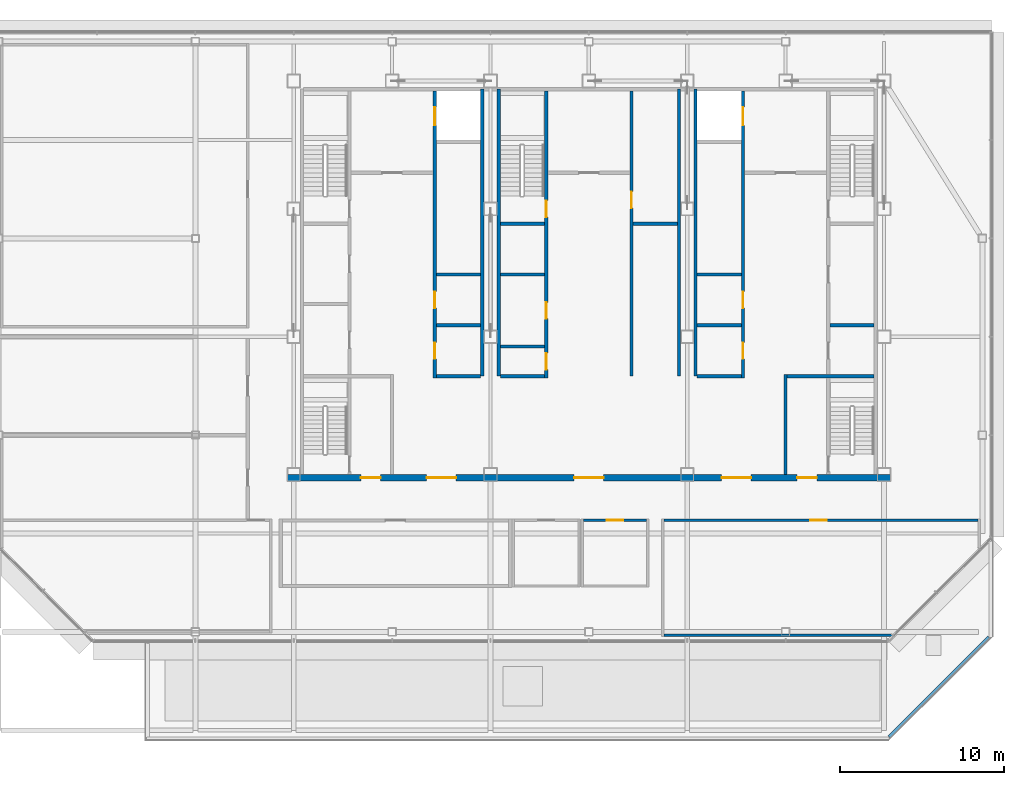
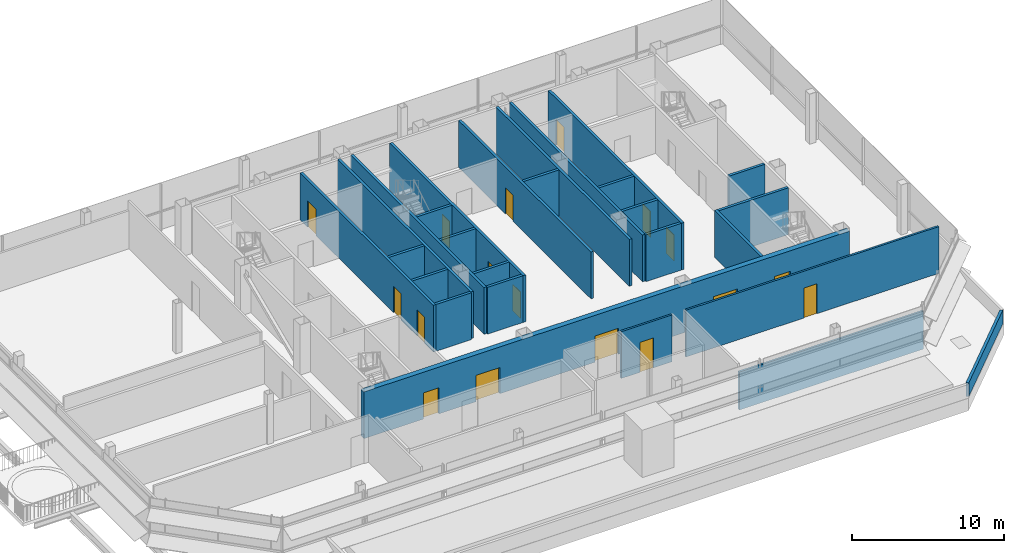
# One storey, part 21 of 26: 27 walls, 17 doors, 17 openings.
"""IFC4 building model written with IfcOpenShell, lengths in metres."""

from ifc_helpers import new_model, si_unit, direction, frame, frame_2d, origin, place, context, subcontext, project, spatial, rectangle, extrude, material, layer, layer_set, type_object, element, fill, save


model = new_model("IFC4")

# Units and contexts
model_context = context("Model", 3, precision=1e-05, world=origin(), true_north=direction((0.0, 1.0)))
body_context = subcontext(model_context, "Body", "Model", "MODEL_VIEW")
ifc_project = project(units=[si_unit("LENGTHUNIT", "METRE"), si_unit("AREAUNIT", "SQUARE_METRE"), si_unit("VOLUMEUNIT", "CUBIC_METRE"), si_unit("PLANEANGLEUNIT", "RADIAN"), si_unit("MASSUNIT", "GRAM", prefix="KILO")], contexts=[model_context])

# Site, building, storey
site_placement = place(None, origin())
site = spatial("IfcSite", under=ifc_project, at=site_placement, CompositionType="ELEMENT")
building_placement = place(site_placement, origin())
building = spatial("IfcBuilding", under=site, at=building_placement, Name="Sorahane Residences", CompositionType="ELEMENT")
storey_placement = place(building_placement, frame((0.0, 0.0, 337.800048828125)))
storey = spatial("IfcBuildingStorey", under=building, at=storey_placement, Name="L80", CompositionType="ELEMENT", Elevation=337.800048828125)

# Walls
ifc_material_1 = material(Name="Concrete C30", Category="concrete")
ifc_layer_1 = layer(ifc_material_1, 0.199951171875)
ifc_layer_set_1 = layer_set([ifc_layer_1], Name="Core face wall 200 EI 180")
wall_type_1 = type_object("IfcWallType", Name="Core face wall 200 EI 180", PredefinedType="SOLIDWALL", material=ifc_layer_set_1)
for number, where, z_axis, x_axis, name in (
    (1, (17.5, 27.60009765625, 0.0), (0.0, 0.0, 1.0), (0.0, 1.0, 0.0), "L80 core face wall"),
    (2, (18.5, 27.60009765625, 0.0), (0.0, 0.0, 1.0), (0.0, 1.0, 0.0), "L80 core face wall"),
    (3, (29.5, 27.60009765625, 0.0), (0.0, 0.0, 1.0), (0.0, 1.0, 0.0), "L80 core face wall"),
    (4, (30.5, 27.60009765625, 0.0), (0.0, 0.0, 1.0), (0.0, 1.0, 0.0), "L80 core face wall"),
):
    element("IfcWall", number, at=place(storey_placement, frame(where, z_axis=z_axis, x_axis=x_axis)), inside=storey, type_object=wall_type_1, Name=name, PredefinedType="SOLIDWALL", context=body_context, shape_type="SweptSolid", body=[
        extrude(rectangle(XDim=17.5, YDim=0.199951171875, at=frame_2d((8.75, 0.0))), origin(), (0.0, 0.0, 1.0), 3.75),
    ])

# Wall, opening, door
ifc_material_2 = material(Name="Concrete C30", Category="concrete")
ifc_layer_2 = layer(ifc_material_2, 0.199951171875)
ifc_layer_set_2 = layer_set([ifc_layer_2], Name="Front room wall 200 EI 120")
wall_type_2 = type_object("IfcWallType", Name="Front room wall 200 EI 120", PredefinedType="PARTITIONING", material=ifc_layer_set_2)
wall_1_placement = place(storey_placement, frame((26.60009765625, 27.60009765625, 0.0), z_axis=(0.0, 0.0, 1.0), x_axis=(0.0, 1.0, 0.0)))
wall_1 = element("IfcWall", 5, at=wall_1_placement, inside=storey, type_object=wall_type_2, Name="L80 front room wall", PredefinedType="PARTITIONING", context=body_context, shape_type="SweptSolid", body=[
    extrude(rectangle(XDim=17.39990234375, YDim=0.199951171875, at=frame_2d((8.699951171875, 0.0))), origin(), (0.0, 0.0, 1.0), 3.75),
])
opening_1_placement = place(wall_1_placement, frame((10.25, 0.0, 0.0)))
opening_1 = element("IfcOpeningElement", 6, at=opening_1_placement, cuts=wall_1, Name="Opening L80-C26", PredefinedType="OPENING", context=body_context, shape_type="SweptSolid", body=[
    extrude(rectangle(XDim=1.0, YDim=2.10009765625, at=frame_2d((0.5, 1.050048828125))), frame((0.0, 0.10986328125, 0.0), z_axis=(0.0, -1.0, 0.0), x_axis=(1.0, 0.0, 0.0)), (0.0, 0.0, 1.0), 0.219970703125),
])
ifc_material_3 = material(Name="Steel", Category="steel")
door_type_1 = type_object("IfcDoorType", Name="Service room door 1000x2100 FD60", OperationType="NOTDEFINED", PredefinedType="DOOR", material=ifc_material_3)
door_1_placement = place(opening_1_placement, frame((1.0, 0.0, 0.0), z_axis=(0.0, 0.0, 1.0), x_axis=(-1.0, 0.0, 0.0)))
door_1 = element("IfcDoor", 7, at=door_1_placement, inside=storey, type_object=door_type_1, Name="Service room door Housekeeping store L80", OperationType="SINGLE_SWING_LEFT", OverallHeight=2.10009765625, OverallWidth=1.0, PredefinedType="DOOR", context=body_context, shape_type="SweptSolid", body=[
    extrude(rectangle(XDim=1.0, YDim=2.10009765625, at=frame_2d((0.5, 1.050048828125))), frame((0.0, 0.02490234375, 0.0), z_axis=(0.0, -1.0, 0.0), x_axis=(1.0, 0.0, 0.0)), (0.0, 0.0, 1.0), 0.050048828125),
])
fill(opening_1, door_1)

# Wall
wall_2_placement = place(storey_placement, frame((36.0, 21.60009765625, 0.0), z_axis=(0.0, 0.0, 1.0), x_axis=(0.0, 1.0, 0.0)))
element("IfcWall", 8, at=wall_2_placement, inside=storey, type_object=wall_type_2, Name="L80 front room wall", PredefinedType="PARTITIONING", context=body_context, shape_type="SweptSolid", body=[
    extrude(rectangle(XDim=6.099853515625, YDim=0.199951171875, at=frame_2d((3.0498046875, 0.0))), origin(), (0.0, 0.0, 1.0), 3.75),
])

# Wall, openings, doors
ifc_material_4 = material(Name="Concrete C30", Category="concrete")
ifc_layer_3 = layer(ifc_material_4, 0.199951171875)
ifc_layer_set_3 = layer_set([ifc_layer_3], Name="Lift shaft wall 200 EI 120")
wall_type_3 = type_object("IfcWallType", Name="Lift shaft wall 200 EI 120", PredefinedType="SOLIDWALL", material=ifc_layer_set_3)
wall_3_placement = place(storey_placement, frame((14.60009765625, 27.5, 0.0), z_axis=(0.0, 0.0, 1.0), x_axis=(0.0, 1.0, 0.0)))
wall_3 = element("IfcWall", 9, at=wall_3_placement, inside=storey, type_object=wall_type_3, Name="L80 lift shaft wall", PredefinedType="SOLIDWALL", context=body_context, shape_type="SweptSolid", body=[
    extrude(rectangle(XDim=17.5, YDim=0.199951171875, at=frame_2d((8.75, 0.0))), origin(), (0.0, 0.0, 1.0), 3.75),
])
opening_2_placement = place(wall_3_placement, frame((15.39990234375, 0.0, 0.0)))
opening_2 = element("IfcOpeningElement", 10, at=opening_2_placement, cuts=wall_3, Name="Opening L80-C10", PredefinedType="OPENING", context=body_context, shape_type="SweptSolid", body=[
    extrude(rectangle(XDim=1.10009765625, YDim=2.10009765625, at=frame_2d((0.550048828125, 1.050048828125))), frame((0.0, 0.10986328125, 0.0), z_axis=(0.0, -1.0, 0.0), x_axis=(1.0, 0.0, 0.0)), (0.0, 0.0, 1.0), 0.219970703125),
])
opening_3_placement = place(wall_3_placement, frame((1.14990234375, 0.0, 0.0)))
opening_3 = element("IfcOpeningElement", 11, at=opening_3_placement, cuts=wall_3, Name="Opening L80-C17", PredefinedType="OPENING", context=body_context, shape_type="SweptSolid", body=[
    extrude(rectangle(XDim=1.0, YDim=2.10009765625, at=frame_2d((0.5, 1.050048828125))), frame((0.0, 0.10986328125, 0.0), z_axis=(0.0, -1.0, 0.0), x_axis=(1.0, 0.0, 0.0)), (0.0, 0.0, 1.0), 0.219970703125),
])
opening_4_placement = place(wall_3_placement, frame((4.25, 0.0, 0.0)))
opening_4 = element("IfcOpeningElement", 12, at=opening_4_placement, cuts=wall_3, Name="Opening L80-C18", PredefinedType="OPENING", context=body_context, shape_type="SweptSolid", body=[
    extrude(rectangle(XDim=1.0, YDim=2.10009765625, at=frame_2d((0.5, 1.050048828125))), frame((0.0, 0.10986328125, 0.0), z_axis=(0.0, -1.0, 0.0), x_axis=(1.0, 0.0, 0.0)), (0.0, 0.0, 1.0), 0.219970703125),
])
ifc_material_5 = material(Name="Aluminium and stainless steel", Category="steel")
door_type_2 = type_object("IfcDoorType", Name="Lift landing door 1100x2100 E 60", OperationType="NOTDEFINED", PredefinedType="DOOR", material=ifc_material_5)
door_2_placement = place(opening_2_placement, origin())
door_2 = element("IfcDoor", 13, at=door_2_placement, inside=storey, type_object=door_type_2, Name="Lift landing door FF1 L80", OperationType="DOUBLE_DOOR_SLIDING", OverallHeight=2.10009765625, OverallWidth=1.10009765625, PredefinedType="DOOR", context=body_context, shape_type="SweptSolid", body=[
    extrude(rectangle(XDim=1.10009765625, YDim=2.10009765625, at=frame_2d((0.550048828125, 1.050048828125))), frame((0.0, 0.02490234375, 0.0), z_axis=(0.0, -1.0, 0.0), x_axis=(1.0, 0.0, 0.0)), (0.0, 0.0, 1.0), 0.050048828125),
])
fill(opening_2, door_2)
door_3_placement = place(opening_3_placement, frame((1.0, 0.0, 0.0), z_axis=(0.0, 0.0, 1.0), x_axis=(-1.0, 0.0, 0.0)))
door_3 = element("IfcDoor", 14, at=door_3_placement, inside=storey, type_object=door_type_1, Name="Service room door Flower room L80", OperationType="SINGLE_SWING_LEFT", OverallHeight=2.10009765625, OverallWidth=1.0, PredefinedType="DOOR", context=body_context, shape_type="SweptSolid", body=[
    extrude(rectangle(XDim=1.0, YDim=2.10009765625, at=frame_2d((0.5, 1.050048828125))), frame((0.0, 0.02490234375, 0.0), z_axis=(0.0, -1.0, 0.0), x_axis=(1.0, 0.0, 0.0)), (0.0, 0.0, 1.0), 0.050048828125),
])
fill(opening_3, door_3)
door_4_placement = place(opening_4_placement, frame((1.0, 0.0, 0.0), z_axis=(0.0, 0.0, 1.0), x_axis=(-1.0, 0.0, 0.0)))
door_4 = element("IfcDoor", 15, at=door_4_placement, inside=storey, type_object=door_type_1, Name="Service room door Flower room L80", OperationType="SINGLE_SWING_LEFT", OverallHeight=2.10009765625, OverallWidth=1.0, PredefinedType="DOOR", context=body_context, shape_type="SweptSolid", body=[
    extrude(rectangle(XDim=1.0, YDim=2.10009765625, at=frame_2d((0.5, 1.050048828125))), frame((0.0, 0.02490234375, 0.0), z_axis=(0.0, -1.0, 0.0), x_axis=(1.0, 0.0, 0.0)), (0.0, 0.0, 1.0), 0.050048828125),
])
fill(opening_4, door_4)

wall_4_placement = place(storey_placement, frame((33.39990234375, 27.5, 0.0), z_axis=(0.0, 0.0, 1.0), x_axis=(0.0, 1.0, 0.0)))
wall_4 = element("IfcWall", 16, at=wall_4_placement, inside=storey, type_object=wall_type_3, Name="L80 lift shaft wall", PredefinedType="SOLIDWALL", context=body_context, shape_type="SweptSolid", body=[
    extrude(rectangle(XDim=17.5, YDim=0.199951171875, at=frame_2d((8.75, 0.0))), origin(), (0.0, 0.0, 1.0), 3.75),
])
opening_5_placement = place(wall_4_placement, frame((15.39990234375, 0.0, 0.0)))
opening_5 = element("IfcOpeningElement", 17, at=opening_5_placement, cuts=wall_4, Name="Opening L80-C09", PredefinedType="OPENING", context=body_context, shape_type="SweptSolid", body=[
    extrude(rectangle(XDim=1.10009765625, YDim=2.10009765625, at=frame_2d((0.550048828125, 1.050048828125))), frame((0.0, 0.10986328125, 0.0), z_axis=(0.0, -1.0, 0.0), x_axis=(1.0, 0.0, 0.0)), (0.0, 0.0, 1.0), 0.219970703125),
])
opening_6_placement = place(wall_4_placement, frame((1.14990234375, 0.0, 0.0)))
opening_6 = element("IfcOpeningElement", 18, at=opening_6_placement, cuts=wall_4, Name="Opening L80-C15", PredefinedType="OPENING", context=body_context, shape_type="SweptSolid", body=[
    extrude(rectangle(XDim=1.0, YDim=2.10009765625, at=frame_2d((0.5, 1.050048828125))), frame((0.0, 0.10986328125, 0.0), z_axis=(0.0, -1.0, 0.0), x_axis=(1.0, 0.0, 0.0)), (0.0, 0.0, 1.0), 0.219970703125),
])
opening_7_placement = place(wall_4_placement, frame((4.25, 0.0, 0.0)))
opening_7 = element("IfcOpeningElement", 19, at=opening_7_placement, cuts=wall_4, Name="Opening L80-C16", PredefinedType="OPENING", context=body_context, shape_type="SweptSolid", body=[
    extrude(rectangle(XDim=1.0, YDim=2.10009765625, at=frame_2d((0.5, 1.050048828125))), frame((0.0, 0.10986328125, 0.0), z_axis=(0.0, -1.0, 0.0), x_axis=(1.0, 0.0, 0.0)), (0.0, 0.0, 1.0), 0.219970703125),
])
door_5_placement = place(opening_5_placement, origin())
door_5 = element("IfcDoor", 20, at=door_5_placement, inside=storey, type_object=door_type_2, Name="Lift landing door FF2 L80", OperationType="DOUBLE_DOOR_SLIDING", OverallHeight=2.10009765625, OverallWidth=1.10009765625, PredefinedType="DOOR", context=body_context, shape_type="SweptSolid", body=[
    extrude(rectangle(XDim=1.10009765625, YDim=2.10009765625, at=frame_2d((0.550048828125, 1.050048828125))), frame((0.0, 0.02490234375, 0.0), z_axis=(0.0, -1.0, 0.0), x_axis=(1.0, 0.0, 0.0)), (0.0, 0.0, 1.0), 0.050048828125),
])
fill(opening_5, door_5)
door_6_placement = place(opening_6_placement, origin())
door_6 = element("IfcDoor", 21, at=door_6_placement, inside=storey, type_object=door_type_1, Name="Service room door Flower room L80", OperationType="SINGLE_SWING_LEFT", OverallHeight=2.10009765625, OverallWidth=1.0, PredefinedType="DOOR", context=body_context, shape_type="SweptSolid", body=[
    extrude(rectangle(XDim=1.0, YDim=2.10009765625, at=frame_2d((0.5, 1.050048828125))), frame((0.0, 0.02490234375, 0.0), z_axis=(0.0, -1.0, 0.0), x_axis=(1.0, 0.0, 0.0)), (0.0, 0.0, 1.0), 0.050048828125),
])
fill(opening_6, door_6)
door_7_placement = place(opening_7_placement, origin())
door_7 = element("IfcDoor", 22, at=door_7_placement, inside=storey, type_object=door_type_1, Name="Service room door Flower room L80", OperationType="SINGLE_SWING_LEFT", OverallHeight=2.10009765625, OverallWidth=1.0, PredefinedType="DOOR", context=body_context, shape_type="SweptSolid", body=[
    extrude(rectangle(XDim=1.0, YDim=2.10009765625, at=frame_2d((0.5, 1.050048828125))), frame((0.0, 0.02490234375, 0.0), z_axis=(0.0, -1.0, 0.0), x_axis=(1.0, 0.0, 0.0)), (0.0, 0.0, 1.0), 0.050048828125),
])
fill(opening_7, door_7)

# Walls
ifc_material_6 = material(Name="Concrete C35", Category="concrete")
ifc_layer_4 = layer(ifc_material_6, 0.199951171875)
ifc_layer_set_4 = layer_set([ifc_layer_4], Name="Parapet wall Concrete C35 200")
wall_type_4 = type_object("IfcWallType", Name="Parapet wall Concrete C35 200", PredefinedType="PARAPET", material=ifc_layer_set_4)
wall_5_placement = place(storey_placement, frame((48.3974609375, 11.6904296875, 0.0), z_axis=(0.0, 0.0, 1.0), x_axis=(-0.707106781187, -0.707106781187, 0.0)))
element("IfcWall", 23, at=wall_5_placement, inside=storey, type_object=wall_type_4, Name="Roof parapet L80.1.1.2", PredefinedType="PARAPET", context=body_context, shape_type="SweptSolid", body=[
    extrude(rectangle(XDim=8.609619140625, YDim=0.199951171875, at=frame_2d((4.3046875, 0.0))), origin(), (0.0, 0.0, 1.0), 1.099853515625),
])
ifc_material_7 = material(Name="Gypsum board partition on steel studs", Category="steel")
ifc_layer_5 = layer(ifc_material_7, 0.14990234375)
ifc_layer_set_5 = layer_set([ifc_layer_5], Name="Partition 150 EI 90")
wall_type_5 = type_object("IfcWallType", Name="Partition 150 EI 90", PredefinedType="PARTITIONING", material=ifc_layer_set_5)
wall_6_placement = place(storey_placement, frame((28.574951171875, 11.800048828125, 0.0), z_axis=(0.0, 0.0, 1.0), x_axis=(1.0, 0.0, 0.0)))
element("IfcWall", 24, at=wall_6_placement, inside=storey, type_object=wall_type_5, Name="L80 partition", PredefinedType="PARTITIONING", context=body_context, shape_type="SweptSolid", body=[
    extrude(rectangle(XDim=13.93212890625, YDim=0.14990234375, at=frame_2d((6.966064453125, 0.0))), origin(), (0.0, 0.0, 1.0), 3.050048828125),
])

# Wall, opening, door
wall_7_placement = place(storey_placement, frame((28.574951171875, 18.800048828125, 0.0), z_axis=(0.0, 0.0, 1.0), x_axis=(1.0, 0.0, 0.0)))
wall_7 = element("IfcWall", 25, at=wall_7_placement, inside=storey, type_object=wall_type_5, Name="L80 partition", PredefinedType="PARTITIONING", context=body_context, shape_type="SweptSolid", body=[
    extrude(rectangle(XDim=19.150146484375, YDim=0.14990234375, at=frame_2d((9.5751953125, 0.0))), origin(), (0.0, 0.0, 1.0), 3.75),
])
opening_8_placement = place(wall_7_placement, frame((8.925048828125, 0.0, 0.0)))
opening_8 = element("IfcOpeningElement", 26, at=opening_8_placement, cuts=wall_7, Name="Opening L80-04", PredefinedType="OPENING", context=body_context, shape_type="SweptSolid", body=[
    extrude(rectangle(XDim=1.0, YDim=2.39990234375, at=frame_2d((0.5, 1.199951171875))), frame((0.0, 0.0849609375, 0.0), z_axis=(0.0, -1.0, 0.0), x_axis=(1.0, 0.0, 0.0)), (0.0, 0.0, 1.0), 0.169921875),
])
ifc_material_8 = material(Name="Timber veneered fire door", Category="wood")
door_type_3 = type_object("IfcDoorType", Name="Room door 1000x2400 FD30", OperationType="NOTDEFINED", PredefinedType="DOOR", material=ifc_material_8)
door_8_placement = place(opening_8_placement, frame((1.0, 0.0, 0.0), z_axis=(0.0, 0.0, 1.0), x_axis=(-1.0, 0.0, 0.0)))
door_8 = element("IfcDoor", 27, at=door_8_placement, inside=storey, type_object=door_type_3, Name="Room door L80-04", OperationType="SINGLE_SWING_LEFT", OverallHeight=2.39990234375, OverallWidth=1.0, PredefinedType="DOOR", context=body_context, shape_type="SweptSolid", body=[
    extrude(rectangle(XDim=1.0, YDim=2.39990234375, at=frame_2d((0.5, 1.199951171875))), frame((0.0, 0.02490234375, 0.0), z_axis=(0.0, -1.0, 0.0), x_axis=(1.0, 0.0, 0.0)), (0.0, 0.0, 1.0), 0.050048828125),
])
fill(opening_8, door_8)

# Walls
ifc_material_9 = material(Name="Concrete C30", Category="concrete")
ifc_layer_6 = layer(ifc_material_9, 0.199951171875)
ifc_layer_set_6 = layer_set([ifc_layer_6], Name="Service room partition 200 EI 60")
wall_type_6 = type_object("IfcWallType", Name="Service room partition 200 EI 60", PredefinedType="PARTITIONING", material=ifc_layer_set_6)
for number, where, z_axis, x_axis, name in (
    (28, (14.699951171875, 27.60009765625, 0.0), (0.0, 0.0, 1.0), (1.0, 0.0, 0.0), "L80 service room wall"),
    (29, (18.60009765625, 27.60009765625, 0.0), (0.0, 0.0, 1.0), (1.0, 0.0, 0.0), "L80 service room wall"),
    (30, (30.60009765625, 27.60009765625, 0.0), (0.0, 0.0, 1.0), (1.0, 0.0, 0.0), "L80 service room wall"),
    (31, (18.60009765625, 29.39990234375, 0.0), (0.0, 0.0, 1.0), (1.0, 0.0, 0.0), "L80 service room wall"),
    (32, (14.699951171875, 30.699951171875, 0.0), (0.0, 0.0, 1.0), (1.0, 0.0, 0.0), "L80 service room wall"),
    (33, (30.60009765625, 30.699951171875, 0.0), (0.0, 0.0, 1.0), (1.0, 0.0, 0.0), "L80 service room wall"),
    (34, (38.699951171875, 30.699951171875, 0.0), (0.0, 0.0, 1.0), (1.0, 0.0, 0.0), "L80 service room wall"),
    (35, (14.699951171875, 33.800048828125, 0.0), (0.0, 0.0, 1.0), (1.0, 0.0, 0.0), "L80 service room wall"),
    (36, (18.60009765625, 33.800048828125, 0.0), (0.0, 0.0, 1.0), (1.0, 0.0, 0.0), "L80 service room wall"),
    (37, (30.60009765625, 33.800048828125, 0.0), (0.0, 0.0, 1.0), (1.0, 0.0, 0.0), "L80 service room wall"),
    (38, (26.699951171875, 36.89990234375, 0.0), (0.0, 0.0, 1.0), (1.0, 0.0, 0.0), "L80 service room wall"),
):
    element("IfcWall", number, at=place(storey_placement, frame(where, z_axis=z_axis, x_axis=x_axis)), inside=storey, type_object=wall_type_6, Name=name, PredefinedType="PARTITIONING", context=body_context, shape_type="SweptSolid", body=[
        extrude(rectangle(XDim=2.699951171875, YDim=0.199951171875, at=frame_2d((1.35009765625, 0.0))), origin(), (0.0, 0.0, 1.0), 3.75),
    ])

# Wall, openings, doors
ifc_material_10 = material(Name="Concrete C30", Category="concrete")
ifc_layer_7 = layer(ifc_material_10, 0.199951171875)
ifc_layer_set_7 = layer_set([ifc_layer_7], Name="Stair enclosure wall 200 EI 120")
wall_type_7 = type_object("IfcWallType", Name="Stair enclosure wall 200 EI 120", PredefinedType="SOLIDWALL", material=ifc_layer_set_7)
wall_8_placement = place(storey_placement, frame((21.39990234375, 27.5, 0.0), z_axis=(0.0, 0.0, 1.0), x_axis=(0.0, 1.0, 0.0)))
wall_8 = element("IfcWall", 39, at=wall_8_placement, inside=storey, type_object=wall_type_7, Name="L80 stair enclosure wall", PredefinedType="SOLIDWALL", context=body_context, shape_type="SweptSolid", body=[
    extrude(rectangle(XDim=17.5, YDim=0.199951171875, at=frame_2d((8.75, 0.0))), origin(), (0.0, 0.0, 1.0), 3.75),
])
opening_9_placement = place(wall_8_placement, frame((0.5, 0.0, 0.0)))
opening_9 = element("IfcOpeningElement", 40, at=opening_9_placement, cuts=wall_8, Name="Opening L80-C11", PredefinedType="OPENING", context=body_context, shape_type="SweptSolid", body=[
    extrude(rectangle(XDim=1.0, YDim=2.10009765625, at=frame_2d((0.5, 1.050048828125))), frame((0.0, 0.10986328125, 0.0), z_axis=(0.0, -1.0, 0.0), x_axis=(1.0, 0.0, 0.0)), (0.0, 0.0, 1.0), 0.219970703125),
])
opening_10_placement = place(wall_8_placement, frame((3.60009765625, 0.0, 0.0)))
opening_10 = element("IfcOpeningElement", 41, at=opening_10_placement, cuts=wall_8, Name="Opening L80-C12", PredefinedType="OPENING", context=body_context, shape_type="SweptSolid", body=[
    extrude(rectangle(XDim=1.0, YDim=2.10009765625, at=frame_2d((0.5, 1.050048828125))), frame((0.0, 0.10986328125, 0.0), z_axis=(0.0, -1.0, 0.0), x_axis=(1.0, 0.0, 0.0)), (0.0, 0.0, 1.0), 0.219970703125),
])
opening_11_placement = place(wall_8_placement, frame((9.800048828125, 0.0, 0.0)))
opening_11 = element("IfcOpeningElement", 42, at=opening_11_placement, cuts=wall_8, Name="Opening L80-C23", PredefinedType="OPENING", context=body_context, shape_type="SweptSolid", body=[
    extrude(rectangle(XDim=1.0, YDim=2.10009765625, at=frame_2d((0.5, 1.050048828125))), frame((0.0, 0.10986328125, 0.0), z_axis=(0.0, -1.0, 0.0), x_axis=(1.0, 0.0, 0.0)), (0.0, 0.0, 1.0), 0.219970703125),
])
door_9_placement = place(opening_9_placement, origin())
door_9 = element("IfcDoor", 43, at=door_9_placement, inside=storey, type_object=door_type_1, Name="Service room door Valet store L80", OperationType="SINGLE_SWING_RIGHT", OverallHeight=2.10009765625, OverallWidth=1.0, PredefinedType="DOOR", context=body_context, shape_type="SweptSolid", body=[
    extrude(rectangle(XDim=1.0, YDim=2.10009765625, at=frame_2d((0.5, 1.050048828125))), frame((0.0, 0.02490234375, 0.0), z_axis=(0.0, -1.0, 0.0), x_axis=(1.0, 0.0, 0.0)), (0.0, 0.0, 1.0), 0.050048828125),
])
fill(opening_9, door_9)
door_10_placement = place(opening_10_placement, origin())
door_10 = element("IfcDoor", 44, at=door_10_placement, inside=storey, type_object=door_type_1, Name="Service room door Flower room L80", OperationType="SINGLE_SWING_LEFT", OverallHeight=2.10009765625, OverallWidth=1.0, PredefinedType="DOOR", context=body_context, shape_type="SweptSolid", body=[
    extrude(rectangle(XDim=1.0, YDim=2.10009765625, at=frame_2d((0.5, 1.050048828125))), frame((0.0, 0.02490234375, 0.0), z_axis=(0.0, -1.0, 0.0), x_axis=(1.0, 0.0, 0.0)), (0.0, 0.0, 1.0), 0.050048828125),
])
fill(opening_10, door_10)
ifc_material_11 = material(Name="Steel", Category="steel")
door_type_4 = type_object("IfcDoorType", Name="Stair door 1000x2100 FD120", OperationType="NOTDEFINED", PredefinedType="DOOR", material=ifc_material_11)
door_11_placement = place(opening_11_placement, origin())
door_11 = element("IfcDoor", 45, at=door_11_placement, inside=storey, type_object=door_type_4, Name="Stair door S3 L80", OperationType="SINGLE_SWING_LEFT", OverallHeight=2.10009765625, OverallWidth=1.0, PredefinedType="DOOR", context=body_context, shape_type="SweptSolid", body=[
    extrude(rectangle(XDim=1.0, YDim=2.10009765625, at=frame_2d((0.5, 1.050048828125))), frame((0.0, 0.02490234375, 0.0), z_axis=(0.0, -1.0, 0.0), x_axis=(1.0, 0.0, 0.0)), (0.0, 0.0, 1.0), 0.050048828125),
])
fill(opening_11, door_11)

# Walls
wall_9_placement = place(storey_placement, frame((36.10009765625, 27.60009765625, 0.0), z_axis=(0.0, 0.0, 1.0), x_axis=(1.0, 0.0, 0.0)))
element("IfcWall", 46, at=wall_9_placement, inside=storey, type_object=wall_type_7, Name="L80 stair enclosure wall", PredefinedType="SOLIDWALL", context=body_context, shape_type="SweptSolid", body=[
    extrude(rectangle(XDim=5.2998046875, YDim=0.199951171875, at=frame_2d((2.64990234375, 0.0))), origin(), (0.0, 0.0, 1.0), 3.75),
])
wall_10_placement = place(storey_placement, frame((18.60009765625, 36.89990234375, 0.0), z_axis=(0.0, 0.0, 1.0), x_axis=(1.0, 0.0, 0.0)))
element("IfcWall", 47, at=wall_10_placement, inside=storey, type_object=wall_type_7, Name="L80 stair enclosure wall", PredefinedType="SOLIDWALL", context=body_context, shape_type="SweptSolid", body=[
    extrude(rectangle(XDim=2.699951171875, YDim=0.199951171875, at=frame_2d((1.35009765625, 0.0))), origin(), (0.0, 0.0, 1.0), 3.75),
])

# Wall, openings, doors
ifc_material_12 = material(Name="Concrete C30", Category="concrete")
ifc_layer_8 = layer(ifc_material_12, 0.39990234375)
ifc_layer_set_8 = layer_set([ifc_layer_8], Name="Waiting hall wall 400 EI 120")
wall_type_8 = type_object("IfcWallType", Name="Waiting hall wall 400 EI 120", PredefinedType="SOLIDWALL", material=ifc_layer_set_8)
wall_11_placement = place(storey_placement, frame((5.60009765625, 21.39990234375, 0.0), z_axis=(0.0, 0.0, 1.0), x_axis=(1.0, 0.0, 0.0)))
wall_11 = element("IfcWall", 48, at=wall_11_placement, inside=storey, type_object=wall_type_8, Name="L80 waiting hall wall", PredefinedType="SOLIDWALL", context=body_context, shape_type="SweptSolid", body=[
    extrude(rectangle(XDim=36.7998046875, YDim=0.39990234375, at=frame_2d((18.39990234375, 0.0))), origin(), (0.0, 0.0, 1.0), 3.75),
])
opening_12_placement = place(wall_11_placement, frame((8.5, 0.0, 0.0)))
opening_12 = element("IfcOpeningElement", 49, at=opening_12_placement, cuts=wall_11, Name="Opening L80-C01", PredefinedType="OPENING", context=body_context, shape_type="SweptSolid", body=[
    extrude(rectangle(XDim=1.800048828125, YDim=2.10009765625, at=frame_2d((0.89990234375, 1.050048828125))), frame((0.0, 0.2099609375, 0.0), z_axis=(0.0, -1.0, 0.0), x_axis=(1.0, 0.0, 0.0)), (0.0, 0.0, 1.0), 0.419921875),
])
opening_13_placement = place(wall_11_placement, frame((17.5, 0.0, 0.0)))
opening_13 = element("IfcOpeningElement", 50, at=opening_13_placement, cuts=wall_11, Name="Opening L80-C02", PredefinedType="OPENING", context=body_context, shape_type="SweptSolid", body=[
    extrude(rectangle(XDim=1.800048828125, YDim=2.10009765625, at=frame_2d((0.89990234375, 1.050048828125))), frame((0.0, 0.2099609375, 0.0), z_axis=(0.0, -1.0, 0.0), x_axis=(1.0, 0.0, 0.0)), (0.0, 0.0, 1.0), 0.419921875),
])
opening_14_placement = place(wall_11_placement, frame((26.5, 0.0, 0.0)))
opening_14 = element("IfcOpeningElement", 51, at=opening_14_placement, cuts=wall_11, Name="Opening L80-C03", PredefinedType="OPENING", context=body_context, shape_type="SweptSolid", body=[
    extrude(rectangle(XDim=1.800048828125, YDim=2.10009765625, at=frame_2d((0.89990234375, 1.050048828125))), frame((0.0, 0.2099609375, 0.0), z_axis=(0.0, -1.0, 0.0), x_axis=(1.0, 0.0, 0.0)), (0.0, 0.0, 1.0), 0.419921875),
])
opening_15_placement = place(wall_11_placement, frame((4.5, 0.0, 0.0)))
opening_15 = element("IfcOpeningElement", 52, at=opening_15_placement, cuts=wall_11, Name="Opening L80-C04", PredefinedType="OPENING", context=body_context, shape_type="SweptSolid", body=[
    extrude(rectangle(XDim=1.199951171875, YDim=2.10009765625, at=frame_2d((0.60009765625, 1.050048828125))), frame((0.0, 0.2099609375, 0.0), z_axis=(0.0, -1.0, 0.0), x_axis=(1.0, 0.0, 0.0)), (0.0, 0.0, 1.0), 0.419921875),
])
opening_16_placement = place(wall_11_placement, frame((31.10009765625, 0.0, 0.0)))
opening_16 = element("IfcOpeningElement", 53, at=opening_16_placement, cuts=wall_11, Name="Opening L80-C05", PredefinedType="OPENING", context=body_context, shape_type="SweptSolid", body=[
    extrude(rectangle(XDim=1.199951171875, YDim=2.10009765625, at=frame_2d((0.60009765625, 1.050048828125))), frame((0.0, 0.2099609375, 0.0), z_axis=(0.0, -1.0, 0.0), x_axis=(1.0, 0.0, 0.0)), (0.0, 0.0, 1.0), 0.419921875),
])
ifc_material_13 = material(Name="Steel", Category="steel")
door_type_5 = type_object("IfcDoorType", Name="Stair front room door 1200x2100 FD120", OperationType="NOTDEFINED", PredefinedType="DOOR", material=ifc_material_13)
door_12_placement = place(opening_15_placement, frame((1.199951171875, 0.0, 0.0), z_axis=(0.0, 0.0, 1.0), x_axis=(-1.0, 0.0, 0.0)))
door_12 = element("IfcDoor", 54, at=door_12_placement, inside=storey, type_object=door_type_5, Name="Stair front room door Stair S4 front room L80", OperationType="SINGLE_SWING_LEFT", OverallHeight=2.10009765625, OverallWidth=1.199951171875, PredefinedType="DOOR", context=body_context, shape_type="SweptSolid", body=[
    extrude(rectangle(XDim=1.199951171875, YDim=2.10009765625, at=frame_2d((0.60009765625, 1.050048828125))), frame((0.0, 0.02490234375, 0.0), z_axis=(0.0, -1.0, 0.0), x_axis=(1.0, 0.0, 0.0)), (0.0, 0.0, 1.0), 0.050048828125),
])
fill(opening_15, door_12)
door_13_placement = place(opening_16_placement, frame((1.199951171875, 0.0, 0.0), z_axis=(0.0, 0.0, 1.0), x_axis=(-1.0, 0.0, 0.0)))
door_13 = element("IfcDoor", 55, at=door_13_placement, inside=storey, type_object=door_type_5, Name="Stair front room door Stair S5 front room L80", OperationType="SINGLE_SWING_LEFT", OverallHeight=2.10009765625, OverallWidth=1.199951171875, PredefinedType="DOOR", context=body_context, shape_type="SweptSolid", body=[
    extrude(rectangle(XDim=1.199951171875, YDim=2.10009765625, at=frame_2d((0.60009765625, 1.050048828125))), frame((0.0, 0.02490234375, 0.0), z_axis=(0.0, -1.0, 0.0), x_axis=(1.0, 0.0, 0.0)), (0.0, 0.0, 1.0), 0.050048828125),
])
fill(opening_16, door_13)
ifc_material_14 = material(Name="Steel", Category="steel")
door_type_6 = type_object("IfcDoorType", Name="Waiting hall door 1800x2100 FD60", OperationType="NOTDEFINED", PredefinedType="DOOR", material=ifc_material_14)
door_14_placement = place(opening_12_placement, frame((1.800048828125, 0.0, 0.0), z_axis=(0.0, 0.0, 1.0), x_axis=(-1.0, 0.0, 0.0)))
door_14 = element("IfcDoor", 56, at=door_14_placement, inside=storey, type_object=door_type_6, Name="Waiting hall door Residents' waiting hall L80", OperationType="SINGLE_SWING_LEFT", OverallHeight=2.10009765625, OverallWidth=1.800048828125, PredefinedType="DOOR", context=body_context, shape_type="SweptSolid", body=[
    extrude(rectangle(XDim=1.800048828125, YDim=2.10009765625, at=frame_2d((0.89990234375, 1.050048828125))), frame((0.0, 0.02490234375, 0.0), z_axis=(0.0, -1.0, 0.0), x_axis=(1.0, 0.0, 0.0)), (0.0, 0.0, 1.0), 0.050048828125),
])
fill(opening_12, door_14)
door_15_placement = place(opening_13_placement, frame((1.800048828125, 0.0, 0.0), z_axis=(0.0, 0.0, 1.0), x_axis=(-1.0, 0.0, 0.0)))
door_15 = element("IfcDoor", 57, at=door_15_placement, inside=storey, type_object=door_type_6, Name="Waiting hall door Residents' waiting hall L80", OperationType="SINGLE_SWING_LEFT", OverallHeight=2.10009765625, OverallWidth=1.800048828125, PredefinedType="DOOR", context=body_context, shape_type="SweptSolid", body=[
    extrude(rectangle(XDim=1.800048828125, YDim=2.10009765625, at=frame_2d((0.89990234375, 1.050048828125))), frame((0.0, 0.02490234375, 0.0), z_axis=(0.0, -1.0, 0.0), x_axis=(1.0, 0.0, 0.0)), (0.0, 0.0, 1.0), 0.050048828125),
])
fill(opening_13, door_15)
door_16_placement = place(opening_14_placement, frame((1.800048828125, 0.0, 0.0), z_axis=(0.0, 0.0, 1.0), x_axis=(-1.0, 0.0, 0.0)))
door_16 = element("IfcDoor", 58, at=door_16_placement, inside=storey, type_object=door_type_6, Name="Waiting hall door Residents' waiting hall L80", OperationType="SINGLE_SWING_LEFT", OverallHeight=2.10009765625, OverallWidth=1.800048828125, PredefinedType="DOOR", context=body_context, shape_type="SweptSolid", body=[
    extrude(rectangle(XDim=1.800048828125, YDim=2.10009765625, at=frame_2d((0.89990234375, 1.050048828125))), frame((0.0, 0.02490234375, 0.0), z_axis=(0.0, -1.0, 0.0), x_axis=(1.0, 0.0, 0.0)), (0.0, 0.0, 1.0), 0.050048828125),
])
fill(opening_14, door_16)

# Wall, opening, door
ifc_material_15 = material(Name="Gypsum board partition on steel studs", Category="steel")
ifc_layer_9 = layer(ifc_material_15, 0.14990234375)
ifc_layer_set_9 = layer_set([ifc_layer_9], Name="Wet wall 150 EI 90")
wall_type_9 = type_object("IfcWallType", Name="Wet wall 150 EI 90", PredefinedType="PARTITIONING", material=ifc_layer_set_9)
wall_12_placement = place(storey_placement, frame((23.675048828125, 18.800048828125, 0.0), z_axis=(0.0, 0.0, 1.0), x_axis=(1.0, 0.0, 0.0)))
wall_12 = element("IfcWall", 59, at=wall_12_placement, inside=storey, type_object=wall_type_9, Name="L80 wet wall", PredefinedType="PARTITIONING", context=body_context, shape_type="SweptSolid", body=[
    extrude(rectangle(XDim=3.849853515625, YDim=0.14990234375, at=frame_2d((1.9248046875, 0.0))), origin(), (0.0, 0.0, 1.0), 3.75),
])
opening_17_placement = place(wall_12_placement, frame((1.425048828125, 0.0, 0.0)))
opening_17 = element("IfcOpeningElement", 60, at=opening_17_placement, cuts=wall_12, Name="Opening L80-03", PredefinedType="OPENING", context=body_context, shape_type="SweptSolid", body=[
    extrude(rectangle(XDim=1.0, YDim=2.39990234375, at=frame_2d((0.5, 1.199951171875))), frame((0.0, 0.0849609375, 0.0), z_axis=(0.0, -1.0, 0.0), x_axis=(1.0, 0.0, 0.0)), (0.0, 0.0, 1.0), 0.169921875),
])
door_17_placement = place(opening_17_placement, frame((1.0, 0.0, 0.0), z_axis=(0.0, 0.0, 1.0), x_axis=(-1.0, 0.0, 0.0)))
door_17 = element("IfcDoor", 61, at=door_17_placement, inside=storey, type_object=door_type_3, Name="Room door L80-03", OperationType="SINGLE_SWING_RIGHT", OverallHeight=2.39990234375, OverallWidth=1.0, PredefinedType="DOOR", context=body_context, shape_type="SweptSolid", body=[
    extrude(rectangle(XDim=1.0, YDim=2.39990234375, at=frame_2d((0.5, 1.199951171875))), frame((0.0, 0.02490234375, 0.0), z_axis=(0.0, -1.0, 0.0), x_axis=(1.0, 0.0, 0.0)), (0.0, 0.0, 1.0), 0.050048828125),
])
fill(opening_17, door_17)

save(model, "model.ifc")
